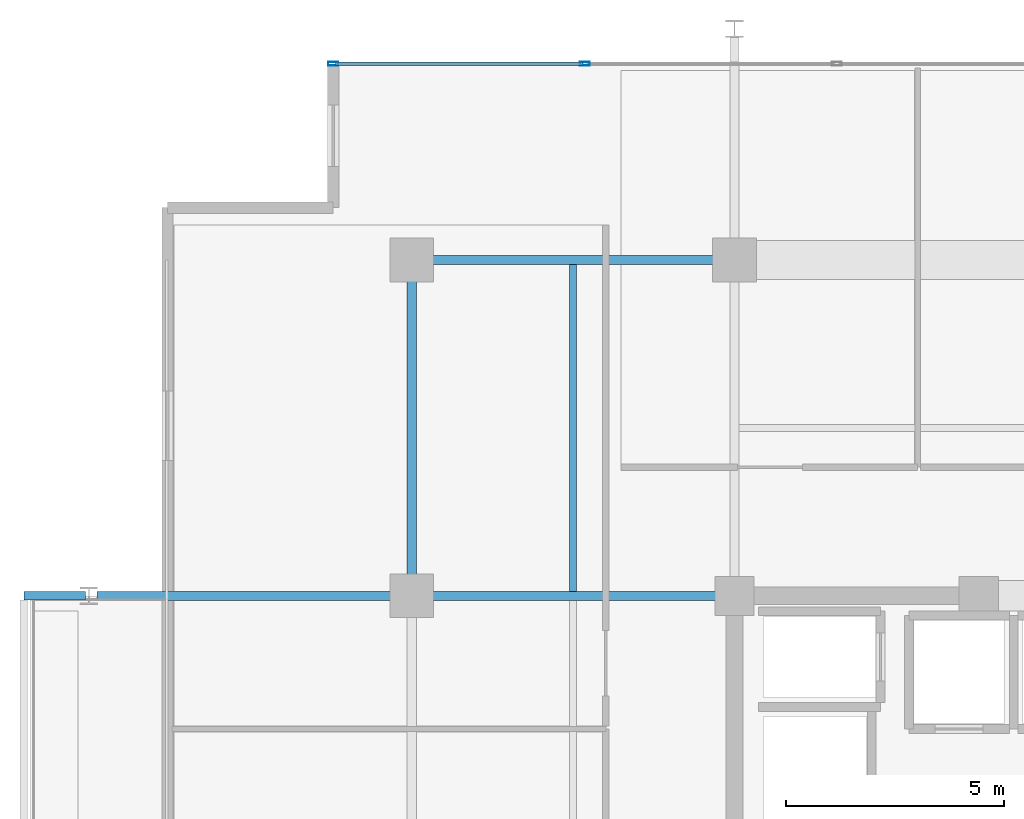
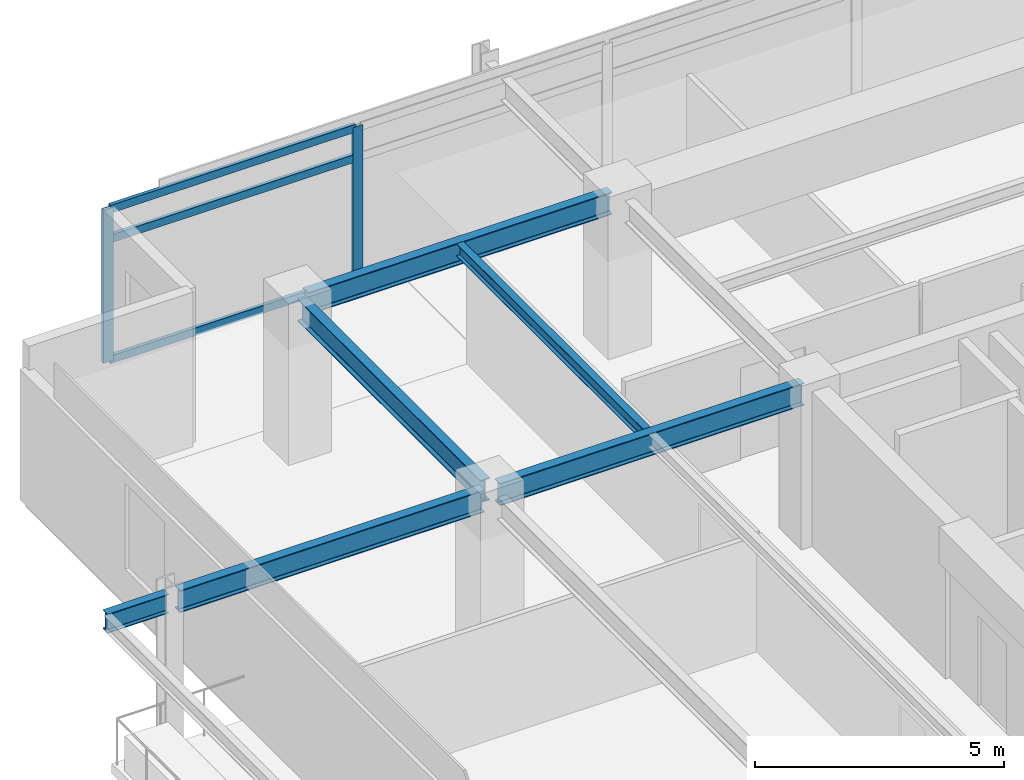
# One storey, part 5 of 20: 6 beams, 5 members, 1 element without a shape of its own.
"""IFC4 building model written with IfcOpenShell, lengths in metres."""

from ifc_helpers import new_model, si_unit, direction, frame, origin, origin_2d, place, context, subcontext, project, spatial, hollow_rectangle, i_section, extrude, material, material_profile, profile_set, type_object, element, aggregate, save


model = new_model("IFC4")

# Units and contexts
model_context = context("Model", 3, precision=1e-05, world=origin(), true_north=direction((0.0, 1.0)))
body_context = subcontext(model_context, "Body", "Model", "MODEL_VIEW")
ifc_project = project(units=[si_unit("LENGTHUNIT", "METRE"), si_unit("AREAUNIT", "SQUARE_METRE"), si_unit("VOLUMEUNIT", "CUBIC_METRE"), si_unit("PLANEANGLEUNIT", "RADIAN"), si_unit("MASSUNIT", "GRAM", prefix="KILO")], contexts=[model_context])

# Site, building, storey
site_placement = place(None, origin())
site = spatial("IfcSite", under=ifc_project, at=site_placement, CompositionType="ELEMENT")
building_placement = place(site_placement, origin())
building = spatial("IfcBuilding", under=site, at=building_placement, Name="Kovane Verandah Tower", CompositionType="ELEMENT")
storey_placement = place(building_placement, frame((0.0, 0.0, 306.800048828125)))
storey = spatial("IfcBuildingStorey", under=building, at=storey_placement, Name="L71", CompositionType="ELEMENT", Elevation=306.800048828125)

# Beams
ifc_material_1 = material(Name="Steel S355", Category="steel")
ifc_material_profile_1 = material_profile(ifc_material_1, i_section(OverallWidth=0.2119140625, OverallDepth=0.54443359375, WebThickness=0.0126953125, FlangeThickness=0.021240234375, FilletRadius=0.0126953125, at=origin_2d()), Name="UB533x210x122")
ifc_profile_set_1 = profile_set([ifc_material_profile_1], Name="Steel S355")
beam_type_1 = type_object("IfcBeamType", Name="BM-UB533x122", PredefinedType="BEAM", material=ifc_profile_set_1)
beam_1_placement = place(storey_placement, frame((21.780029296875, 44.199951171875, 3.5126953125), z_axis=(1.0, 0.0, 0.0), x_axis=(0.0, 1.0, 0.0)))
element("IfcBeam", 1, at=beam_1_placement, inside=storey, type_object=beam_type_1, Name="L71 Primary Tower Girder G-RN1", PredefinedType="BEAM", context=body_context, shape_type="SweptSolid", body=[
    extrude(i_section(OverallWidth=0.2119140625, OverallDepth=0.54443359375, WebThickness=0.0126953125, FlangeThickness=0.021240234375, FilletRadius=0.0126953125, at=origin_2d()), origin(), (0.0, 0.0, 1.0), 7.0400390625),
])
beam_2_placement = place(storey_placement, frame((21.60009765625, 36.679931640625, 3.5126953125), z_axis=(0.0, 1.0, 0.0), x_axis=(-1.0, 0.0, 0.0)))
element("IfcBeam", 2, at=beam_2_placement, inside=storey, type_object=beam_type_1, Name="L71 Primary Tower Girder G-RW3", PredefinedType="BEAM", context=body_context, shape_type="SweptSolid", body=[
    extrude(i_section(OverallWidth=0.2119140625, OverallDepth=0.54443359375, WebThickness=0.0126953125, FlangeThickness=0.021240234375, FilletRadius=0.0126953125, at=origin_2d()), origin(), (0.0, 0.0, 1.0), 7.340087890625),
])
for number, where, z_axis, x_axis, name in (
    (3, (28.820068359375, 36.5, 3.5126953125), (-1.0, 0.0, 0.0), (0.0, -1.0, 0.0), "L71 Primary Tower Girder G-W2"),
    (4, (21.419921875, 36.5, 3.48779296875), (-1.0, 0.0, 0.0), (0.0, -1.0, 0.0), "L71 Primary Tower Girder G-VW2"),
):
    element("IfcBeam", number, at=place(storey_placement, frame(where, z_axis=z_axis, x_axis=x_axis)), inside=storey, type_object=beam_type_1, Name=name, PredefinedType="BEAM", context=body_context, shape_type="SweptSolid", body=[
        extrude(i_section(OverallWidth=0.2119140625, OverallDepth=0.54443359375, WebThickness=0.0126953125, FlangeThickness=0.021240234375, FilletRadius=0.0126953125, at=origin_2d()), origin(), (0.0, 0.0, 1.0), 7.0400390625),
    ])

# Curtain wall, members
ifc_material_2 = material(Name="Champagne Anodised Aluminium Frame with Low-E Clear Laminated Glass", Category="aluminium")
curtain_wall_type = type_object("IfcCurtainWallType", Name="CW-SYS-05-HIGH", PredefinedType="NOTDEFINED", material=ifc_material_2)
curtain_wall_placement = place(storey_placement, origin())
curtain_wall = element("IfcCurtainWall", 5, at=curtain_wall_placement, inside=storey, type_object=curtain_wall_type, Name="L71 N Unitised Curtain Wall", PredefinedType="NOTDEFINED")
ifc_material_3 = material(Name="Champagne Anodised Aluminium 6063-T6", Category="aluminium")
ifc_material_profile_2 = material_profile(ifc_material_3, hollow_rectangle(XDim=0.0849609375, YDim=0.22998046875, WallThickness=0.00390625, at=origin_2d()), Name="AL85x230x4")
ifc_profile_set_2 = profile_set([ifc_material_profile_2], Name="Champagne Anodised Aluminium 6063-T6")
member_type_1 = type_object("IfcMemberType", Name="CW-MUL-85x230", PredefinedType="MULLION", material=ifc_profile_set_2)
member_1_placement = place(storey_placement, frame((25.5712890625, 48.699951171875, 0.02001953125), z_axis=(0.0, 0.0, 1.0), x_axis=(0.0, 1.0, 0.0)))
member_1 = element("IfcMember", 6, at=member_1_placement, type_object=member_type_1, Name="L71 N Unitised Curtain Wall Mullion 7", PredefinedType="MULLION", context=body_context, shape_type="SweptSolid", body=[
    extrude(hollow_rectangle(XDim=0.0849609375, YDim=0.22998046875, WallThickness=0.00390625, at=origin_2d()), origin(), (0.0, 0.0, 1.0), 3.744873046875),
])
member_2_placement = place(storey_placement, frame((19.800048828125, 48.699951171875, 0.02001953125), z_axis=(0.0, 0.0, 1.0), x_axis=(0.0, 1.0, 0.0)))
member_2 = element("IfcMember", 7, at=member_2_placement, type_object=member_type_1, Name="L71 N Unitised Curtain Wall Mullion 8", PredefinedType="MULLION", context=body_context, shape_type="SweptSolid", body=[
    extrude(hollow_rectangle(XDim=0.0849609375, YDim=0.22998046875, WallThickness=0.00390625, at=origin_2d()), origin(), (0.0, 0.0, 1.0), 3.744873046875),
])
ifc_material_profile_3 = material_profile(ifc_material_3, hollow_rectangle(XDim=0.0849609375, YDim=0.18994140625, WallThickness=0.00390625, at=origin_2d()), Name="AL85x190x4")
ifc_profile_set_3 = profile_set([ifc_material_profile_3], Name="Champagne Anodised Aluminium 6063-T6")
member_type_2 = type_object("IfcMemberType", Name="CW-TRN-85x190", PredefinedType="USERDEFINED", material=ifc_profile_set_3)
member_3_placement = place(storey_placement, frame((25.521484375, 48.699951171875, 0.050048828125), z_axis=(-1.0, 0.0, 0.0), x_axis=(0.0, -1.0, 0.0)))
member_3 = element("IfcMember", 8, at=member_3_placement, type_object=member_type_2, Name="L71 N Unitised Curtain Wall Transom TB Bay 7", ObjectType="TRANSOM", PredefinedType="USERDEFINED", context=body_context, shape_type="SweptSolid", body=[
    extrude(hollow_rectangle(XDim=0.0849609375, YDim=0.18994140625, WallThickness=0.00390625, at=origin_2d()), origin(), (0.0, 0.0, 1.0), 5.67138671875),
])
member_4_placement = place(storey_placement, frame((25.521484375, 48.699951171875, 3.0048828125), z_axis=(-1.0, 0.0, 0.0), x_axis=(0.0, -1.0, 0.0)))
member_4 = element("IfcMember", 9, at=member_4_placement, type_object=member_type_2, Name="L71 N Unitised Curtain Wall Transom TM Bay 7", ObjectType="TRANSOM", PredefinedType="USERDEFINED", context=body_context, shape_type="SweptSolid", body=[
    extrude(hollow_rectangle(XDim=0.0849609375, YDim=0.18994140625, WallThickness=0.00390625, at=origin_2d()), origin(), (0.0, 0.0, 1.0), 5.67138671875),
])
member_5_placement = place(storey_placement, frame((25.521484375, 48.699951171875, 3.73486328125), z_axis=(-1.0, 0.0, 0.0), x_axis=(0.0, -1.0, 0.0)))
member_5 = element("IfcMember", 10, at=member_5_placement, type_object=member_type_2, Name="L71 N Unitised Curtain Wall Transom TT Bay 7", ObjectType="TRANSOM", PredefinedType="USERDEFINED", context=body_context, shape_type="SweptSolid", body=[
    extrude(hollow_rectangle(XDim=0.0849609375, YDim=0.18994140625, WallThickness=0.00390625, at=origin_2d()), origin(), (0.0, 0.0, 1.0), 5.67138671875),
])
aggregate(curtain_wall, [member_1, member_2, member_3, member_4, member_5])

# Beams
ifc_material_profile_4 = material_profile(ifc_material_1, i_section(OverallWidth=0.1669921875, OverallDepth=0.310302734375, WebThickness=0.0078125, FlangeThickness=0.013671875, FilletRadius=0.0087890625, at=origin_2d()), Name="UB305x165x54")
ifc_profile_set_4 = profile_set([ifc_material_profile_4], Name="Steel S355")
beam_type_2 = type_object("IfcBeamType", Name="JST-UB305x54", PredefinedType="JOIST", material=ifc_profile_set_4)
beam_3_placement = place(storey_placement, frame((25.300048828125, 36.60400390625, 3.629638671875), z_axis=(0.0, 1.0, 0.0), x_axis=(-1.0, 0.0, 0.0)))
element("IfcBeam", 11, at=beam_3_placement, inside=storey, type_object=beam_type_2, Name="L71 Secondary Composite Joist J-NW1", PredefinedType="JOIST", context=body_context, shape_type="SweptSolid", body=[
    extrude(i_section(OverallWidth=0.1669921875, OverallDepth=0.310302734375, WebThickness=0.0078125, FlangeThickness=0.013671875, FilletRadius=0.0087890625, at=origin_2d()), origin(), (0.0, 0.0, 1.0), 7.491943359375),
])
ifc_material_profile_5 = material_profile(ifc_material_1, i_section(OverallWidth=0.19287109375, OverallDepth=0.46728515625, WebThickness=0.011474609375, FlangeThickness=0.01953125, FilletRadius=0.01025390625, at=origin_2d()), Name="UB457x191x98")
ifc_profile_set_5 = profile_set([ifc_material_profile_5], Name="Steel S355")
beam_type_3 = type_object("IfcBeamType", Name="JST-UB457x98", PredefinedType="JOIST", material=ifc_profile_set_5)
beam_4_placement = place(storey_placement, frame((14.1201171875, 36.5, 3.5263671875), z_axis=(-1.0, 0.0, 0.0), x_axis=(0.0, -1.0, 0.0)))
element("IfcBeam", 12, at=beam_4_placement, inside=storey, type_object=beam_type_3, Name="L71 West Planter Girder 2", PredefinedType="JOIST", context=body_context, shape_type="SweptSolid", body=[
    extrude(i_section(OverallWidth=0.19287109375, OverallDepth=0.46728515625, WebThickness=0.011474609375, FlangeThickness=0.01953125, FilletRadius=0.01025390625, at=origin_2d()), origin(), (0.0, 0.0, 1.0), 1.41455078125),
])

save(model, "model.ifc")
